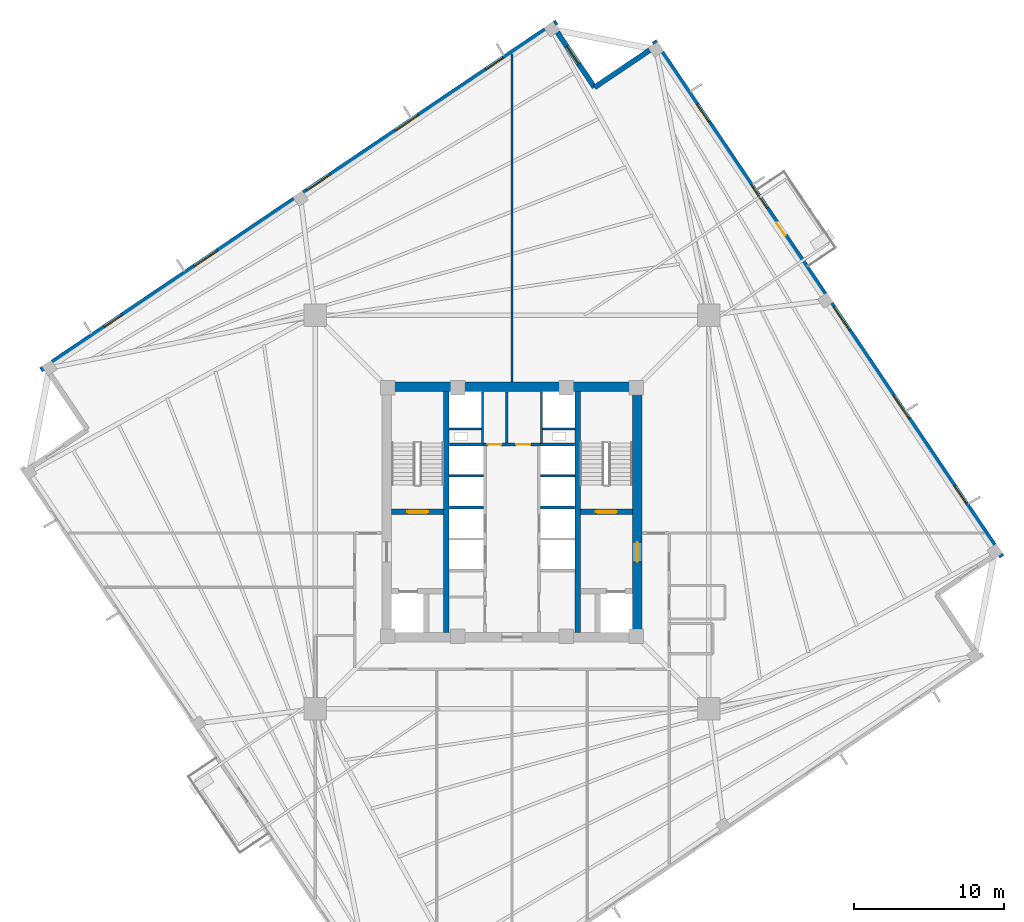
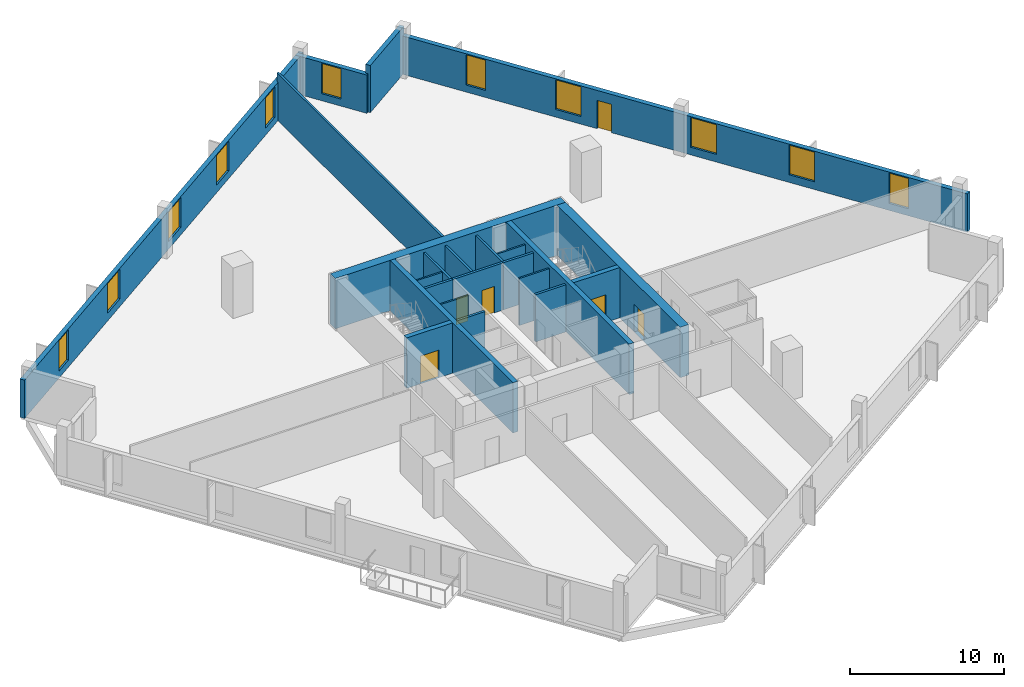
# One storey, part 5 of 9: 23 walls, 11 windows, 6 doors, 17 openings.
"""IFC4 building model written with IfcOpenShell, lengths in metres."""

import ifcopenshell
import ifcopenshell.guid

model = None  # the IFC model being written
_history = None  # IfcOwnerHistory: only IFC2X3 demands one
_inside = {}  # id of a spatial element -> (the spatial element, [elements in it])
_under = {}  # id of a project, library or spatial element -> (it, [spatial elements below it])
_declared = {}  # id of a project -> (the project, [libraries it declares])
_typed = {}  # id of a type object -> (the type object, [elements of that type])
_made_of = {}  # id of a material, layer set ... -> (it, [elements and type objects made of it])


def new_model(schema):
    """Start an empty IFC model of exactly this schema.

    Asked for "IFC4X3", IfcOpenShell would pick the latest addendum, in which some entities
    have other attributes; the version numbers below select the first issue.
    IFC2X3 requires an IfcOwnerHistory on every rooted entity: one is made here for all.
    """
    global model, _history
    if schema == "IFC4X3":
        model = ifcopenshell.file(schema_version=(4, 3, 0, 0))
    else:
        model = ifcopenshell.file(schema=schema)
    _inside.clear()
    _under.clear()
    _declared.clear()
    _typed.clear()
    _made_of.clear()
    _history = None
    if model.schema == "IFC2X3":
        org = make("IfcOrganization", Name="unknown")
        user = make(
            "IfcPersonAndOrganization",
            ThePerson=make("IfcPerson", FamilyName="unknown"),
            TheOrganization=org,
        )
        app = make(
            "IfcApplication",
            ApplicationDeveloper=org,
            Version="unknown",
            ApplicationFullName="unknown",
            ApplicationIdentifier="unknown",
        )
        _history = make(
            "IfcOwnerHistory",
            OwningUser=user,
            OwningApplication=app,
            ChangeAction="ADDED",
            CreationDate=0,
        )
    return model


def make(cls, **values):
    """One entity of the class cls with the attributes given. An attribute that is None is left unset."""
    return model.create_entity(
        cls, **{name: value for name, value in values.items() if value is not None}
    )


def rooted(cls, **values):
    """An entity with a GlobalId (a new one), such as an element, a storey or a relation."""
    return make(cls, GlobalId=ifcopenshell.guid.new(), OwnerHistory=_history, **values)


def si_unit(unit_type, name, prefix=None):
    """IfcSIUnit, for example si_unit("LENGTHUNIT", "METRE", prefix="MILLI")."""
    return make("IfcSIUnit", UnitType=unit_type, Prefix=prefix, Name=name)


def assignment(units):
    """IfcUnitAssignment: the units of a project."""
    return None if units is None else make("IfcUnitAssignment", Units=units)


def point(xyz):
    """IfcCartesianPoint."""
    return None if xyz is None else make("IfcCartesianPoint", Coordinates=xyz)


def direction(xyz):
    """IfcDirection."""
    return None if xyz is None else make("IfcDirection", DirectionRatios=xyz)


def frame(location, z_axis=None, x_axis=None):
    """IfcAxis2Placement3D, a coordinate frame: its origin and axes. An axis left out is left unset."""
    return make(
        "IfcAxis2Placement3D",
        Location=point(location),
        Axis=direction(z_axis),
        RefDirection=direction(x_axis),
    )


def frame_2d(location, x_axis=None):
    """IfcAxis2Placement2D, a coordinate frame in the plane: its origin and x axis."""
    return make(
        "IfcAxis2Placement2D", Location=point(location), RefDirection=direction(x_axis)
    )


def origin():
    """The frame at (0, 0, 0) with its axes left unset."""
    return frame((0.0, 0.0, 0.0))


def place(relative_to, where):
    """IfcLocalPlacement: puts the frame where relative to a parent placement (None: the world)."""
    return make(
        "IfcLocalPlacement", PlacementRelTo=relative_to, RelativePlacement=where
    )


def context(
    kind, dimensions, precision=None, world=None, true_north=None, identifier=None
):
    """IfcGeometricRepresentationContext, for example the 3D "Model" context."""
    return make(
        "IfcGeometricRepresentationContext",
        ContextIdentifier=identifier,
        ContextType=kind,
        CoordinateSpaceDimension=dimensions,
        Precision=precision,
        WorldCoordinateSystem=world,
        TrueNorth=true_north,
    )


def subcontext(parent, identifier, kind, view, scale=None):
    """IfcGeometricRepresentationSubContext, for example "Body" below "Model"."""
    return make(
        "IfcGeometricRepresentationSubContext",
        ContextIdentifier=identifier,
        ContextType=kind,
        ParentContext=parent,
        TargetScale=scale,
        TargetView=view,
    )


def project(units=None, contexts=None):
    """IfcProject with its units and contexts."""
    return rooted(
        "IfcProject",
        Name="project",
        RepresentationContexts=contexts,
        UnitsInContext=assignment(units),
    )


def spatial(cls, under=None, at=None, **own):
    """A site, building, storey or space (cls), placed at a placement, below another one or the project."""
    s = rooted(cls, ObjectPlacement=at, **own)
    if under is not None:
        _under.setdefault(under.id(), (under, []))[1].append(s)
    return s


def profile(cls, at=None, kind="AREA", **sizes):
    """A parametric profile (cls). Its sizes go by their IFC names, for example OverallWidth=200.0."""
    return make(cls, ProfileType=kind, Position=at, **sizes)


def rectangle(**sizes):
    """IfcRectangleProfileDef."""
    return profile("IfcRectangleProfileDef", **sizes)


def extrude(swept, where, along, depth):
    """IfcExtrudedAreaSolid: the profile swept, set in the frame where, extruded along a direction by depth."""
    return make(
        "IfcExtrudedAreaSolid",
        SweptArea=swept,
        Position=where,
        ExtrudedDirection=direction(along),
        Depth=depth,
    )


def shape(context_of_items, identifier, shape_type, items):
    """IfcShapeRepresentation: the items that make up one representation, for example the "Body"."""
    return make(
        "IfcShapeRepresentation",
        ContextOfItems=context_of_items,
        RepresentationIdentifier=identifier,
        RepresentationType=shape_type,
        Items=items,
    )


def source(mapping_origin, context_of_items, identifier, shape_type, items):
    """IfcRepresentationMap: a shape defined once, which mapped items show again and again."""
    return make(
        "IfcRepresentationMap",
        MappingOrigin=mapping_origin,
        MappedRepresentation=shape(context_of_items, identifier, shape_type, items),
    )


def transform(
    local_origin,
    x_axis=None,
    y_axis=None,
    z_axis=None,
    scale=None,
    scale2=None,
    scale3=None,
    uniform=True,
):
    """IfcCartesianTransformationOperator3D, or its non-uniform kind. x_axis, y_axis, z_axis: its Axis1, 2, 3."""
    if uniform:
        return make(
            "IfcCartesianTransformationOperator3D",
            Axis1=direction(x_axis),
            Axis2=direction(y_axis),
            LocalOrigin=point(local_origin),
            Scale=scale,
            Axis3=direction(z_axis),
        )
    return make(
        "IfcCartesianTransformationOperator3DnonUniform",
        Axis1=direction(x_axis),
        Axis2=direction(y_axis),
        LocalOrigin=point(local_origin),
        Scale=scale,
        Axis3=direction(z_axis),
        Scale2=scale2,
        Scale3=scale3,
    )


def mapped(mapping_source, mapping_target):
    """IfcMappedItem: shows the shape of a source again, moved by a transform."""
    return make(
        "IfcMappedItem", MappingSource=mapping_source, MappingTarget=mapping_target
    )


def material(Name=None, Category=None):
    """IfcMaterial."""
    return make("IfcMaterial", Name=Name, Category=Category)


def layer(
    of_material, thickness, ventilated=None, Name=None, Category=None, Priority=None
):
    """IfcMaterialLayer: one layer of a wall or slab, of a material (None: an air gap)."""
    return make(
        "IfcMaterialLayer",
        Material=of_material,
        LayerThickness=thickness,
        IsVentilated=ventilated,
        Name=Name,
        Category=Category,
        Priority=Priority,
    )


def layer_set(layers, Name=None):
    """IfcMaterialLayerSet."""
    return make("IfcMaterialLayerSet", MaterialLayers=layers, LayerSetName=Name)


def made_of(thing, what):
    """Note that an element or type object is made of a material, layer set ...; save() writes the relation."""
    if what is not None:
        _made_of.setdefault(what.id(), (what, []))[1].append(thing)
    return thing


def type_object(cls, material=None, **own):
    """A type object (cls), such as IfcWallType, which elements share."""
    return made_of(rooted(cls, **own), material)


def element(
    cls,
    number,
    at=None,
    inside=None,
    cuts=None,
    type_object=None,
    material=None,
    context=None,
    identifier="Body",
    shape_type=None,
    held_by="IfcProductDefinitionShape",
    body=None,
    shapes=None,
    **own,
):
    """One element of the class cls, such as IfcWall. Its Tag is "e" and its number.

    at: its placement. inside: the storey or other place that contains it. cuts: it is an
    opening in that element (IfcRelVoidsElement). A single representation is given by context,
    identifier, shape_type and body (its items); several are given by shapes. held_by: the class
    of the entity that holds the representations. save() writes the other relations.
    """
    e = rooted(cls, Tag="e%d" % number, ObjectPlacement=at, **own)
    if body is not None:
        shapes = [shape(context, identifier, shape_type, body)]
    if shapes is not None:
        e.Representation = make(held_by, Representations=shapes)
    if inside is not None:
        _inside.setdefault(inside.id(), (inside, []))[1].append(e)
    if cuts is not None:
        rooted(
            "IfcRelVoidsElement", RelatingBuildingElement=cuts, RelatedOpeningElement=e
        )
    if type_object is not None:
        _typed.setdefault(type_object.id(), (type_object, []))[1].append(e)
    return made_of(e, material)


def fill(opening, filler):
    """IfcRelFillsElement: the door or window that sits in an opening."""
    return rooted(
        "IfcRelFillsElement",
        RelatingOpeningElement=opening,
        RelatedBuildingElement=filler,
    )


def aggregate(whole, parts):
    """IfcRelAggregates: a whole, such as a stair, and the parts it consists of."""
    return rooted("IfcRelAggregates", RelatingObject=whole, RelatedObjects=parts)


def save(model, path):
    """Write the relations noted so far, then the file.

    IfcRelAggregates (storeys below a building ...), IfcRelContainedInSpatialStructure (elements
    in a storey), IfcRelDefinesByType, IfcRelAssociatesMaterial and IfcRelDeclares: one each for
    every whole, place, type object, material and project.
    """
    for whole, parts in _under.values():
        aggregate(whole, parts)
    for where, things in _inside.values():
        rooted(
            "IfcRelContainedInSpatialStructure",
            RelatedElements=things,
            RelatingStructure=where,
        )
    for kind, things in _typed.values():
        rooted("IfcRelDefinesByType", RelatedObjects=things, RelatingType=kind)
    for what, things in _made_of.values():
        rooted("IfcRelAssociatesMaterial", RelatedObjects=things, RelatingMaterial=what)
    for by, libraries in _declared.values():
        rooted("IfcRelDeclares", RelatingContext=by, RelatedDefinitions=libraries)
    model.write(path)


model = new_model("IFC4")

# Units and contexts
model_context = context("Model", 3, precision=1e-05, world=origin(), true_north=direction((0.0, 1.0)))
body_context = subcontext(model_context, "Body", "Model", "MODEL_VIEW")
ifc_project = project(units=[si_unit("LENGTHUNIT", "METRE"), si_unit("AREAUNIT", "SQUARE_METRE"), si_unit("VOLUMEUNIT", "CUBIC_METRE"), si_unit("PLANEANGLEUNIT", "RADIAN"), si_unit("MASSUNIT", "GRAM", prefix="KILO"), si_unit("THERMODYNAMICTEMPERATUREUNIT", "KELVIN")], contexts=[model_context])

# Site, building, storey
site_placement = place(None, origin())
site = spatial("IfcSite", under=ifc_project, at=site_placement, CompositionType="ELEMENT")
building_placement = place(site_placement, origin())
building = spatial("IfcBuilding", under=site, at=building_placement, Name="Kosmvard Interchange Tower", CompositionType="ELEMENT")
storey_placement = place(building_placement, frame((0.0, 0.0, 144.39990234375)))
storey = spatial("IfcBuildingStorey", under=building, at=storey_placement, Name="L34", CompositionType="ELEMENT", Elevation=144.39990234375)

# Walls
ifc_material_1 = material(Name="Acoustic gypsum partition system")
ifc_layer_1 = layer(ifc_material_1, 0.14990234375, Name="Acoustic gypsum partition system")
ifc_layer_set_1 = layer_set([ifc_layer_1], Name="Acoustic gypsum partition system")
wall_type_1 = type_object("IfcWallType", Name="Acoustic Suite & Meeting Partition 150", PredefinedType="PARTITIONING", material=ifc_layer_set_1)
wall_1_placement = place(storey_placement, frame((0.0, 8.655029296875, 0.0), z_axis=(0.0, 0.0, 1.0), x_axis=(0.0, 1.0, 0.0)))
element("IfcWall", 1, at=wall_1_placement, inside=storey, type_object=wall_type_1, Name="L34 Room Partition 01.1", PredefinedType="PARTITIONING", context=body_context, shape_type="SweptSolid", body=[
    extrude(rectangle(XDim=21.771728515625, YDim=0.14990234375, at=frame_2d((10.8857421875, 0.0))), origin(), (0.0, 0.0, 1.0), 3.739990234375),
])
ifc_material_2 = material(Name="Fire-rated gypsum partition system")
ifc_layer_2 = layer(ifc_material_2, 0.159912109375, Name="Fire-rated gypsum partition system")
ifc_layer_set_2 = layer_set([ifc_layer_2], Name="Fire-rated gypsum partition system")
wall_type_2 = type_object("IfcWallType", Name="Core Compartment & Shuttle Lobby Partition 160", PredefinedType="PARTITIONING", material=ifc_layer_set_2)
for number, where, z_axis, x_axis, name in (
    (2, (-1.9599609375, 4.580078125, 0.0), (0.0, 0.0, 1.0), (0.0, 1.0, 0.0), "L34 North Core West Wall"),
    (3, (1.9599609375, 4.580078125, 0.0), (0.0, 0.0, 1.0), (0.0, 1.0, 0.0), "L34 North Core East Wall"),
):
    element("IfcWall", number, at=place(storey_placement, frame(where, z_axis=z_axis, x_axis=x_axis)), inside=storey, type_object=wall_type_2, Name=name, PredefinedType="PARTITIONING", context=body_context, shape_type="SweptSolid", body=[
        extrude(rectangle(XDim=3.39990234375, YDim=0.159912109375, at=frame_2d((1.699951171875, 0.0))), origin(), (0.0, 0.0, 1.0), 3.739990234375),
    ])
ifc_material_3 = material(Name="Concrete blockwork masonry", Category="masonry")
ifc_layer_3 = layer(ifc_material_3, 0.159912109375, Name="Concrete blockwork masonry")
ifc_layer_set_3 = layer_set([ifc_layer_3], Name="Concrete blockwork masonry")
wall_type_3 = type_object("IfcWallType", Name="Core Enclosure Split Wall 160", PredefinedType="PARTITIONING", material=ifc_layer_set_3)
wall_2_placement = place(storey_placement, frame((-0.35009765625, 4.60009765625, 0.0), z_axis=(0.0, 0.0, 1.0), x_axis=(0.0, 1.0, 0.0)))
element("IfcWall", 4, at=wall_2_placement, inside=storey, type_object=wall_type_3, Name="L34 Core K2 Split Wall", PredefinedType="PARTITIONING", context=body_context, shape_type="SweptSolid", body=[
    extrude(rectangle(XDim=3.3798828125, YDim=0.159912109375, at=frame_2d((1.68994140625, 0.0))), origin(), (0.0, 0.0, 1.0), 3.739990234375),
])

# Wall, openings, doors
ifc_layer_4 = layer(ifc_material_2, 0.179931640625, Name="Fire-rated gypsum partition system")
ifc_layer_set_4 = layer_set([ifc_layer_4], Name="Fire-rated gypsum partition system")
wall_type_4 = type_object("IfcWallType", Name="Corridor & Hotel Compartment Partition 180", PredefinedType="PARTITIONING", material=ifc_layer_set_4)
wall_3_placement = place(storey_placement, frame((-1.8798828125, 4.489990234375, 0.0), z_axis=(0.0, 0.0, 1.0), x_axis=(1.0, 0.0, 0.0)))
wall_3 = element("IfcWall", 5, at=wall_3_placement, inside=storey, type_object=wall_type_4, Name="L34 Lift Lobby North Partition", PredefinedType="PARTITIONING", context=body_context, shape_type="SweptSolid", body=[
    extrude(rectangle(XDim=3.759765625, YDim=0.179931640625, at=frame_2d((1.8798828125, 0.0))), origin(), (0.0, 0.0, 1.0), 3.739990234375),
])
opening_1_placement = place(wall_3_placement, frame((0.280029296875, 0.0, 0.0)))
opening_1 = element("IfcOpeningElement", 6, at=opening_1_placement, cuts=wall_3, Name="Opening L34-KD1", PredefinedType="OPENING", context=body_context, shape_type="SweptSolid", body=[
    extrude(rectangle(XDim=0.8798828125, YDim=2.10009765625, at=frame_2d((0.43994140625, 1.050048828125))), frame((0.0, 0.10009765625, 0.0), z_axis=(0.0, -1.0, 0.0), x_axis=(1.0, 0.0, 0.0)), (0.0, 0.0, 1.0), 0.199951171875),
])
opening_2_placement = place(wall_3_placement, frame((2.14990234375, 0.0, 0.0)))
opening_2 = element("IfcOpeningElement", 7, at=opening_2_placement, cuts=wall_3, Name="Opening L34-KD2", PredefinedType="OPENING", context=body_context, shape_type="SweptSolid", body=[
    extrude(rectangle(XDim=0.949951171875, YDim=2.10009765625, at=frame_2d((0.47509765625, 1.050048828125))), frame((0.0, 0.10009765625, 0.0), z_axis=(0.0, -1.0, 0.0), x_axis=(1.0, 0.0, 0.0)), (0.0, 0.0, 1.0), 0.199951171875),
])
ifc_material_4 = material(Name="Painted fire-rated timber leaf", Category="wood")
door_type_1 = type_object("IfcDoorType", Name="Core Service Fire Door 950x2100 EI30", OperationType="NOTDEFINED", PredefinedType="DOOR", material=ifc_material_4)
shared_shape_1 = source(origin(), body_context, "Body", "SweptSolid", [
    extrude(rectangle(XDim=0.949951171875, YDim=2.10009765625, at=frame_2d((0.47509765625, 1.050048828125))), frame((0.0, 0.02490234375, 0.0), z_axis=(0.0, -1.0, 0.0), x_axis=(1.0, 0.0, 0.0)), (0.0, 0.0, 1.0), 0.050048828125),
])
door_1_placement = place(opening_2_placement, origin())
door_1 = element("IfcDoor", 8, at=door_1_placement, inside=storey, type_object=door_type_1, Name="L34 Core Tea Pantry Door", OperationType="SINGLE_SWING_RIGHT", OverallHeight=2.10009765625, OverallWidth=0.949951171875, PredefinedType="DOOR", context=body_context, shape_type="MappedRepresentation", body=[
    mapped(shared_shape_1, transform((0.0, 0.0, 0.0), scale=1.0)),
])
fill(opening_2, door_1)
door_type_2 = type_object("IfcDoorType", Name="Core Cupboard Fire Door 880x2100 EI30", OperationType="NOTDEFINED", PredefinedType="DOOR", material=ifc_material_4)
shared_shape_2 = source(origin(), body_context, "Body", "SweptSolid", [
    extrude(rectangle(XDim=0.8798828125, YDim=2.10009765625, at=frame_2d((0.43994140625, 1.050048828125))), frame((0.0, 0.02490234375, 0.0), z_axis=(0.0, -1.0, 0.0), x_axis=(1.0, 0.0, 0.0)), (0.0, 0.0, 1.0), 0.050048828125),
])
door_2_placement = place(opening_1_placement, origin())
door_2 = element("IfcDoor", 9, at=door_2_placement, inside=storey, type_object=door_type_2, Name="L34 Core Cleaner Cupboard Door", OperationType="SINGLE_SWING_LEFT", OverallHeight=2.10009765625, OverallWidth=0.8798828125, PredefinedType="DOOR", context=body_context, shape_type="MappedRepresentation", body=[
    mapped(shared_shape_2, transform((0.0, 0.0, 0.0), scale=1.0)),
])
fill(opening_1, door_2)

# Wall
ifc_material_5 = material(Name="Concrete C70/85", Category="concrete")
ifc_layer_5 = layer(ifc_material_5, 0.64990234375, Name="Concrete C70/85")
ifc_layer_set_5 = layer_set([ifc_layer_5], Name="Concrete C70/85")
wall_type_5 = type_object("IfcWallType", Name="Mid Core Shear Wall 650 C70/85", PredefinedType="SHEAR", material=ifc_layer_set_5)
wall_4_placement = place(storey_placement, frame((-8.64990234375, 8.324951171875, 0.0), z_axis=(0.0, 0.0, 1.0), x_axis=(1.0, 0.0, 0.0)))
element("IfcWall", 10, at=wall_4_placement, inside=storey, type_object=wall_type_5, Name="L34 Core Shear Wall CW-N", PredefinedType="SHEAR", context=body_context, shape_type="SweptSolid", body=[
    extrude(rectangle(XDim=17.2998046875, YDim=0.64990234375, at=frame_2d((8.64990234375, 0.0))), origin(), (0.0, 0.0, 1.0), 4.0),
])

# Wall, opening, door
wall_5_placement = place(storey_placement, frame((8.324951171875, -8.0, 0.0), z_axis=(0.0, 0.0, 1.0), x_axis=(0.0, 1.0, 0.0)))
wall_5 = element("IfcWall", 11, at=wall_5_placement, inside=storey, type_object=wall_type_5, Name="L34 Core Shear Wall CW-E", PredefinedType="SHEAR", context=body_context, shape_type="SweptSolid", body=[
    extrude(rectangle(XDim=16.0, YDim=0.64990234375, at=frame_2d((8.0, 0.0))), origin(), (0.0, 0.0, 1.0), 4.0),
])
opening_3_placement = place(wall_5_placement, frame((4.68994140625, 0.0, 0.0)))
opening_3 = element("IfcOpeningElement", 12, at=opening_3_placement, cuts=wall_5, Name="Opening L34-FD2", PredefinedType="OPENING", context=body_context, shape_type="SweptSolid", body=[
    extrude(rectangle(XDim=1.300048828125, YDim=2.199951171875, at=frame_2d((0.64990234375, 1.10009765625))), frame((0.0, 0.3349609375, 0.0), z_axis=(0.0, -1.0, 0.0), x_axis=(1.0, 0.0, 0.0)), (0.0, 0.0, 1.0), 0.669921875),
])
ifc_material_6 = material(Name="Painted fire-rated steel leaf", Category="steel")
door_type_3 = type_object("IfcDoorType", Name="Firefighting Lobby Door 1300x2200 EI60", OperationType="NOTDEFINED", PredefinedType="DOOR", material=ifc_material_6)
shared_shape_3 = source(origin(), body_context, "Body", "SweptSolid", [
    extrude(rectangle(XDim=1.300048828125, YDim=2.199951171875, at=frame_2d((0.64990234375, 1.10009765625))), frame((0.0, 0.02490234375, 0.0), z_axis=(0.0, -1.0, 0.0), x_axis=(1.0, 0.0, 0.0)), (0.0, 0.0, 1.0), 0.050048828125),
])
door_3_placement = place(opening_3_placement, origin())
door_3 = element("IfcDoor", 13, at=door_3_placement, inside=storey, type_object=door_type_3, Name="L34 Firefighting Lobby East Door", OperationType="SINGLE_SWING_RIGHT", OverallHeight=2.199951171875, OverallWidth=1.300048828125, PredefinedType="DOOR", context=body_context, shape_type="MappedRepresentation", body=[
    mapped(shared_shape_3, transform((0.0, 0.0, 0.0), scale=1.0)),
])
fill(opening_3, door_3)

# Wall, openings, door, windows
ifc_material_7 = material(Name="Precast concrete C45/55", Category="concrete")
ifc_layer_6 = layer(ifc_material_7, 0.340087890625, Name="Precast concrete C45/55")
ifc_layer_set_6 = layer_set([ifc_layer_6], Name="Precast concrete C45/55")
wall_type_6 = type_object("IfcWallType", Name="Mid Tower Precast Pier Wall 340 C45/55", PredefinedType="STANDARD", material=ifc_layer_set_6)
wall_6_placement = place(storey_placement, frame((32.55810546875, -2.971923828125, 0.0), z_axis=(0.0, 0.0, 1.0), x_axis=(-0.559194910251, 0.829036218961, 0.0)))
wall_6 = element("IfcWall", 14, at=wall_6_placement, inside=storey, type_object=wall_type_6, Name="L34 Precast Facade Wall F-E", PredefinedType="STANDARD", context=body_context, shape_type="SweptSolid", body=[
    extrude(rectangle(XDim=41.340087890625, YDim=0.340087890625, at=frame_2d((20.669921875, 0.0))), origin(), (0.0, 0.0, 1.0), 3.0400390625),
])
opening_4_placement = place(wall_6_placement, frame((25.7451171875, 0.0, 0.0)))
opening_4 = element("IfcOpeningElement", 15, at=opening_4_placement, cuts=wall_6, Name="Opening L34-BDE", PredefinedType="OPENING", context=body_context, shape_type="SweptSolid", body=[
    extrude(rectangle(XDim=1.050048828125, YDim=2.25, at=frame_2d((0.52490234375, 1.125))), frame((0.0, 0.18017578125, 0.0), z_axis=(0.0, -1.0, 0.0), x_axis=(1.0, 0.0, 0.0)), (0.0, 0.0, 1.0), 0.360107421875),
])
opening_5_placement = place(wall_6_placement, frame((4.2607421875, 0.0, 0.56005859375)))
opening_5 = element("IfcOpeningElement", 16, at=opening_5_placement, cuts=wall_6, Name="Opening L34-W06", PredefinedType="OPENING", context=body_context, shape_type="SweptSolid", body=[
    extrude(rectangle(XDim=1.39990234375, YDim=2.39990234375, at=frame_2d((0.699951171875, 1.199951171875))), frame((0.0, 0.18017578125, 0.0), z_axis=(0.0, -1.0, 0.0), x_axis=(1.0, 0.0, 0.0)), (0.0, 0.0, 1.0), 0.360107421875),
])
opening_6_placement = place(wall_6_placement, frame((11.063720703125, 0.0, 0.610107421875)))
opening_6 = element("IfcOpeningElement", 17, at=opening_6_placement, cuts=wall_6, Name="Opening L34-W07", PredefinedType="OPENING", context=body_context, shape_type="SweptSolid", body=[
    extrude(rectangle(XDim=1.85009765625, YDim=2.35009765625, at=frame_2d((0.925048828125, 1.175048828125))), frame((0.0, 0.18017578125, 0.0), z_axis=(0.0, -1.0, 0.0), x_axis=(1.0, 0.0, 0.0)), (0.0, 0.0, 1.0), 0.360107421875),
])
opening_7_placement = place(wall_6_placement, frame((18.168212890625, 0.0, 0.610107421875)))
opening_7 = element("IfcOpeningElement", 18, at=opening_7_placement, cuts=wall_6, Name="Opening L34-W08", PredefinedType="OPENING", context=body_context, shape_type="SweptSolid", body=[
    extrude(rectangle(XDim=1.85009765625, YDim=2.35009765625, at=frame_2d((0.925048828125, 1.175048828125))), frame((0.0, 0.18017578125, 0.0), z_axis=(0.0, -1.0, 0.0), x_axis=(1.0, 0.0, 0.0)), (0.0, 0.0, 1.0), 0.360107421875),
])
opening_8_placement = place(wall_6_placement, frame((27.936279296875, 0.0, 0.610107421875)))
opening_8 = element("IfcOpeningElement", 19, at=opening_8_placement, cuts=wall_6, Name="Opening L34-W09", PredefinedType="OPENING", context=body_context, shape_type="SweptSolid", body=[
    extrude(rectangle(XDim=1.85009765625, YDim=2.35009765625, at=frame_2d((0.925048828125, 1.175048828125))), frame((0.0, 0.18017578125, 0.0), z_axis=(0.0, -1.0, 0.0), x_axis=(1.0, 0.0, 0.0)), (0.0, 0.0, 1.0), 0.360107421875),
])
opening_9_placement = place(wall_6_placement, frame((34.852294921875, 0.0, 0.56005859375)))
opening_9 = element("IfcOpeningElement", 20, at=opening_9_placement, cuts=wall_6, Name="Opening L34-W10", PredefinedType="OPENING", context=body_context, shape_type="SweptSolid", body=[
    extrude(rectangle(XDim=1.39990234375, YDim=2.39990234375, at=frame_2d((0.699951171875, 1.199951171875))), frame((0.0, 0.18017578125, 0.0), z_axis=(0.0, -1.0, 0.0), x_axis=(1.0, 0.0, 0.0)), (0.0, 0.0, 1.0), 0.360107421875),
])
ifc_material_8 = material(Name="Anodised aluminium and safety glass", Category="aluminium")
door_type_4 = type_object("IfcDoorType", Name="Tree-Balcony Glazed Door 1050x2250", OperationType="NOTDEFINED", PredefinedType="DOOR", material=ifc_material_8)
shared_shape_4 = source(origin(), body_context, "Body", "SweptSolid", [
    extrude(rectangle(XDim=1.050048828125, YDim=2.25, at=frame_2d((0.52490234375, 1.125))), frame((0.0, 0.02490234375, 0.0), z_axis=(0.0, -1.0, 0.0), x_axis=(1.0, 0.0, 0.0)), (0.0, 0.0, 1.0), 0.050048828125),
])
door_4_placement = place(opening_4_placement, origin())
door_4 = element("IfcDoor", 21, at=door_4_placement, inside=storey, type_object=door_type_4, Name="L34 Tree-Balcony Door BAL-L34-E", OperationType="SINGLE_SWING_LEFT", OverallHeight=2.25, OverallWidth=1.050048828125, PredefinedType="DOOR", context=body_context, shape_type="MappedRepresentation", body=[
    mapped(shared_shape_4, transform((0.0, 0.0, 0.0), scale=1.0)),
])
fill(opening_4, door_4)
ifc_material_9 = material(Name="Low-E solar-control double glazing", Category="glass")
window_type_1 = type_object("IfcWindowType", Name="Notched Corner Feature Window 1400x2400", PartitioningType="SINGLE_PANEL", PredefinedType="WINDOW", material=ifc_material_9)
shared_shape_5 = source(origin(), body_context, "Body", "SweptSolid", [
    extrude(rectangle(XDim=1.39990234375, YDim=2.39990234375, at=frame_2d((0.699951171875, 1.199951171875))), frame((0.0, 0.030029296875, 0.0), z_axis=(0.0, -1.0, 0.0), x_axis=(1.0, 0.0, 0.0)), (0.0, 0.0, 1.0), 0.06005859375),
])
window_1_placement = place(opening_5_placement, origin())
window_1 = element("IfcWindow", 22, at=window_1_placement, inside=storey, type_object=window_type_1, Name="L34 Facade Punched Window 06", OverallHeight=2.39990234375, OverallWidth=1.39990234375, PartitioningType="SINGLE_PANEL", PredefinedType="WINDOW", context=body_context, shape_type="MappedRepresentation", body=[
    mapped(shared_shape_5, transform((0.0, 0.0, 0.0), scale=1.0)),
])
fill(opening_5, window_1)
window_2_placement = place(opening_9_placement, origin())
window_2 = element("IfcWindow", 23, at=window_2_placement, inside=storey, type_object=window_type_1, Name="L34 Facade Punched Window 10", OverallHeight=2.39990234375, OverallWidth=1.39990234375, PartitioningType="SINGLE_PANEL", PredefinedType="WINDOW", context=body_context, shape_type="MappedRepresentation", body=[
    mapped(shared_shape_5, transform((0.0, 0.0, 0.0), scale=1.0)),
])
fill(opening_9, window_2)
window_type_2 = type_object("IfcWindowType", Name="Zone 3 Office Punched Window 1850x2350", PartitioningType="SINGLE_PANEL", PredefinedType="WINDOW", material=ifc_material_9)
shared_shape_6 = source(origin(), body_context, "Body", "SweptSolid", [
    extrude(rectangle(XDim=1.85009765625, YDim=2.35009765625, at=frame_2d((0.925048828125, 1.175048828125))), frame((0.0, 0.030029296875, 0.0), z_axis=(0.0, -1.0, 0.0), x_axis=(1.0, 0.0, 0.0)), (0.0, 0.0, 1.0), 0.06005859375),
])
window_3_placement = place(opening_6_placement, origin())
window_3 = element("IfcWindow", 24, at=window_3_placement, inside=storey, type_object=window_type_2, Name="L34 Facade Punched Window 07", OverallHeight=2.35009765625, OverallWidth=1.85009765625, PartitioningType="SINGLE_PANEL", PredefinedType="WINDOW", context=body_context, shape_type="MappedRepresentation", body=[
    mapped(shared_shape_6, transform((0.0, 0.0, 0.0), scale=1.0)),
])
fill(opening_6, window_3)
window_4_placement = place(opening_7_placement, origin())
window_4 = element("IfcWindow", 25, at=window_4_placement, inside=storey, type_object=window_type_2, Name="L34 Facade Punched Window 08", OverallHeight=2.35009765625, OverallWidth=1.85009765625, PartitioningType="SINGLE_PANEL", PredefinedType="WINDOW", context=body_context, shape_type="MappedRepresentation", body=[
    mapped(shared_shape_6, transform((0.0, 0.0, 0.0), scale=1.0)),
])
fill(opening_7, window_4)
window_5_placement = place(opening_8_placement, origin())
window_5 = element("IfcWindow", 26, at=window_5_placement, inside=storey, type_object=window_type_2, Name="L34 Facade Punched Window 09", OverallHeight=2.35009765625, OverallWidth=1.85009765625, PartitioningType="SINGLE_PANEL", PredefinedType="WINDOW", context=body_context, shape_type="MappedRepresentation", body=[
    mapped(shared_shape_6, transform((0.0, 0.0, 0.0), scale=1.0)),
])
fill(opening_8, window_5)

# Wall
wall_7_placement = place(storey_placement, frame((9.631103515625, 31.018798828125, 0.0), z_axis=(0.0, 0.0, 1.0), x_axis=(-0.829025804298, -0.559210350234, 0.0)))
element("IfcWall", 27, at=wall_7_placement, inside=storey, type_object=wall_type_6, Name="L34 Precast Facade Wall N-NE1", PredefinedType="STANDARD", context=body_context, shape_type="SweptSolid", body=[
    extrude(rectangle(XDim=5.000244140625, YDim=0.340087890625, at=frame_2d((2.5, 0.0))), origin(), (0.0, 0.0, 1.0), 3.739990234375),
])

# Wall, opening, window
wall_8_placement = place(storey_placement, frame((5.48583984375, 28.22265625, 0.0), z_axis=(0.0, 0.0, 1.0), x_axis=(-0.559171107879, 0.82905227345, 0.0)))
wall_8 = element("IfcWall", 28, at=wall_8_placement, inside=storey, type_object=wall_type_6, Name="L34 Precast Facade Wall N-NE2", PredefinedType="STANDARD", context=body_context, shape_type="SweptSolid", body=[
    extrude(rectangle(XDim=5.169921875, YDim=0.340087890625, at=frame_2d((2.5849609375, 0.0))), origin(), (0.0, 0.0, 1.0), 3.0400390625),
])
opening_10_placement = place(wall_8_placement, frame((1.885009765625, 0.0, 0.56005859375)))
opening_10 = element("IfcOpeningElement", 29, at=opening_10_placement, cuts=wall_8, Name="Opening L34-W22", PredefinedType="OPENING", context=body_context, shape_type="SweptSolid", body=[
    extrude(rectangle(XDim=1.39990234375, YDim=2.39990234375, at=frame_2d((0.699951171875, 1.199951171875))), frame((0.0, 0.18017578125, 0.0), z_axis=(0.0, -1.0, 0.0), x_axis=(1.0, 0.0, 0.0)), (0.0, 0.0, 1.0), 0.360107421875),
])
window_6_placement = place(opening_10_placement, origin())
window_6 = element("IfcWindow", 30, at=window_6_placement, inside=storey, type_object=window_type_1, Name="L34 Corner Notch Window 22", OverallHeight=2.39990234375, OverallWidth=1.39990234375, PartitioningType="SINGLE_PANEL", PredefinedType="WINDOW", context=body_context, shape_type="MappedRepresentation", body=[
    mapped(shared_shape_5, transform((0.0, 0.0, 0.0), scale=1.0)),
])
fill(opening_10, window_6)

# Wall, openings, windows
wall_9_placement = place(storey_placement, frame((2.971923828125, 32.55810546875, 0.0), z_axis=(0.0, 0.0, 1.0), x_axis=(-0.829036218961, -0.559194910251, 0.0)))
wall_9 = element("IfcWall", 31, at=wall_9_placement, inside=storey, type_object=wall_type_6, Name="L34 Precast Facade Wall F-N", PredefinedType="STANDARD", context=body_context, shape_type="SweptSolid", body=[
    extrude(rectangle(XDim=41.340087890625, YDim=0.340087890625, at=frame_2d((20.669921875, 0.0))), origin(), (0.0, 0.0, 1.0), 3.0400390625),
])
opening_11_placement = place(wall_9_placement, frame((4.2607421875, 0.0, 0.56005859375)))
opening_11 = element("IfcOpeningElement", 32, at=opening_11_placement, cuts=wall_9, Name="Opening L34-W11", PredefinedType="OPENING", context=body_context, shape_type="SweptSolid", body=[
    extrude(rectangle(XDim=1.39990234375, YDim=2.39990234375, at=frame_2d((0.699951171875, 1.199951171875))), frame((0.0, 0.18017578125, 0.0), z_axis=(0.0, -1.0, 0.0), x_axis=(1.0, 0.0, 0.0)), (0.0, 0.0, 1.0), 0.360107421875),
])
opening_12_placement = place(wall_9_placement, frame((11.063720703125, 0.0, 0.610107421875)))
opening_12 = element("IfcOpeningElement", 33, at=opening_12_placement, cuts=wall_9, Name="Opening L34-W12", PredefinedType="OPENING", context=body_context, shape_type="SweptSolid", body=[
    extrude(rectangle(XDim=1.85009765625, YDim=2.35009765625, at=frame_2d((0.925048828125, 1.175048828125))), frame((0.0, 0.18017578125, 0.0), z_axis=(0.0, -1.0, 0.0), x_axis=(1.0, 0.0, 0.0)), (0.0, 0.0, 1.0), 0.360107421875),
])
opening_13_placement = place(wall_9_placement, frame((18.168212890625, 0.0, 0.610107421875)))
opening_13 = element("IfcOpeningElement", 34, at=opening_13_placement, cuts=wall_9, Name="Opening L34-W13", PredefinedType="OPENING", context=body_context, shape_type="SweptSolid", body=[
    extrude(rectangle(XDim=1.85009765625, YDim=2.35009765625, at=frame_2d((0.925048828125, 1.175048828125))), frame((0.0, 0.18017578125, 0.0), z_axis=(0.0, -1.0, 0.0), x_axis=(1.0, 0.0, 0.0)), (0.0, 0.0, 1.0), 0.360107421875),
])
opening_14_placement = place(wall_9_placement, frame((27.186279296875, 0.0, 0.610107421875)))
opening_14 = element("IfcOpeningElement", 35, at=opening_14_placement, cuts=wall_9, Name="Opening L34-W14", PredefinedType="OPENING", context=body_context, shape_type="SweptSolid", body=[
    extrude(rectangle(XDim=1.85009765625, YDim=2.35009765625, at=frame_2d((0.925048828125, 1.175048828125))), frame((0.0, 0.18017578125, 0.0), z_axis=(0.0, -1.0, 0.0), x_axis=(1.0, 0.0, 0.0)), (0.0, 0.0, 1.0), 0.360107421875),
])
opening_15_placement = place(wall_9_placement, frame((34.852294921875, 0.0, 0.56005859375)))
opening_15 = element("IfcOpeningElement", 36, at=opening_15_placement, cuts=wall_9, Name="Opening L34-W15", PredefinedType="OPENING", context=body_context, shape_type="SweptSolid", body=[
    extrude(rectangle(XDim=1.39990234375, YDim=2.39990234375, at=frame_2d((0.699951171875, 1.199951171875))), frame((0.0, 0.18017578125, 0.0), z_axis=(0.0, -1.0, 0.0), x_axis=(1.0, 0.0, 0.0)), (0.0, 0.0, 1.0), 0.360107421875),
])
window_7_placement = place(opening_11_placement, origin())
window_7 = element("IfcWindow", 37, at=window_7_placement, inside=storey, type_object=window_type_1, Name="L34 Facade Punched Window 11", OverallHeight=2.39990234375, OverallWidth=1.39990234375, PartitioningType="SINGLE_PANEL", PredefinedType="WINDOW", context=body_context, shape_type="MappedRepresentation", body=[
    mapped(shared_shape_5, transform((0.0, 0.0, 0.0), scale=1.0)),
])
fill(opening_11, window_7)
window_8_placement = place(opening_15_placement, origin())
window_8 = element("IfcWindow", 38, at=window_8_placement, inside=storey, type_object=window_type_1, Name="L34 Facade Punched Window 15", OverallHeight=2.39990234375, OverallWidth=1.39990234375, PartitioningType="SINGLE_PANEL", PredefinedType="WINDOW", context=body_context, shape_type="MappedRepresentation", body=[
    mapped(shared_shape_5, transform((0.0, 0.0, 0.0), scale=1.0)),
])
fill(opening_15, window_8)
window_9_placement = place(opening_12_placement, origin())
window_9 = element("IfcWindow", 39, at=window_9_placement, inside=storey, type_object=window_type_2, Name="L34 Facade Punched Window 12", OverallHeight=2.35009765625, OverallWidth=1.85009765625, PartitioningType="SINGLE_PANEL", PredefinedType="WINDOW", context=body_context, shape_type="MappedRepresentation", body=[
    mapped(shared_shape_6, transform((0.0, 0.0, 0.0), scale=1.0)),
])
fill(opening_12, window_9)
window_10_placement = place(opening_13_placement, origin())
window_10 = element("IfcWindow", 40, at=window_10_placement, inside=storey, type_object=window_type_2, Name="L34 Facade Punched Window 13", OverallHeight=2.35009765625, OverallWidth=1.85009765625, PartitioningType="SINGLE_PANEL", PredefinedType="WINDOW", context=body_context, shape_type="MappedRepresentation", body=[
    mapped(shared_shape_6, transform((0.0, 0.0, 0.0), scale=1.0)),
])
fill(opening_13, window_10)
window_11_placement = place(opening_14_placement, origin())
window_11 = element("IfcWindow", 41, at=window_11_placement, inside=storey, type_object=window_type_2, Name="L34 Facade Punched Window 14", OverallHeight=2.35009765625, OverallWidth=1.85009765625, PartitioningType="SINGLE_PANEL", PredefinedType="WINDOW", context=body_context, shape_type="MappedRepresentation", body=[
    mapped(shared_shape_6, transform((0.0, 0.0, 0.0), scale=1.0)),
])
fill(opening_14, window_11)

# Walls
ifc_layer_7 = layer(ifc_material_3, 0.179931640625, Name="Concrete blockwork masonry")
ifc_layer_set_7 = layer_set([ifc_layer_7], Name="Concrete blockwork masonry")
wall_type_7 = type_object("IfcWallType", Name="Riser & Lift Bank Divider Wall 180", PredefinedType="PARTITIONING", material=ifc_layer_set_7)
for number, where, z_axis, x_axis, name in (
    (42, (-4.169921875, 0.300048828125, 0.0), (0.0, 0.0, 1.0), (1.0, 0.0, 0.0), "L34 West Bank Divider BD2"),
    (43, (1.889892578125, 0.300048828125, 0.0), (0.0, 0.0, 1.0), (1.0, 0.0, 0.0), "L34 East Bank Divider BD2"),
    (44, (-4.169921875, 4.489990234375, 0.0), (0.0, 0.0, 1.0), (1.0, 0.0, 0.0), "L34 West Bank Divider BD3"),
    (45, (1.889892578125, 4.489990234375, 0.0), (0.0, 0.0, 1.0), (1.0, 0.0, 0.0), "L34 East Bank Divider BD3"),
):
    element("IfcWall", number, at=place(storey_placement, frame(where, z_axis=z_axis, x_axis=x_axis)), inside=storey, type_object=wall_type_7, Name=name, PredefinedType="PARTITIONING", context=body_context, shape_type="SweptSolid", body=[
        extrude(rectangle(XDim=2.280029296875, YDim=0.179931640625, at=frame_2d((1.14013671875, 0.0))), origin(), (0.0, 0.0, 1.0), 3.739990234375),
    ])
ifc_material_10 = material(Name="Fire-rated gypsum shaftwall system")
ifc_layer_8 = layer(ifc_material_10, 0.1201171875, Name="Fire-rated gypsum shaftwall system")
ifc_layer_set_8 = layer_set([ifc_layer_8], Name="Fire-rated gypsum shaftwall system")
wall_type_8 = type_object("IfcWallType", Name="Shaft & Riser Fire Partition 120 EI60", PredefinedType="PARTITIONING", material=ifc_layer_set_8)
for number, where, z_axis, x_axis, name in (
    (46, (-4.159912109375, 2.39990234375, 0.0), (0.0, 0.0, 1.0), (1.0, 0.0, 0.0), "L34 Shaft Divider PL-H1"),
    (47, (1.89990234375, 2.39990234375, 0.0), (0.0, 0.0, 1.0), (1.0, 0.0, 0.0), "L34 Shaft Divider PL-H3"),
):
    element("IfcWall", number, at=place(storey_placement, frame(where, z_axis=z_axis, x_axis=x_axis)), inside=storey, type_object=wall_type_8, Name=name, PredefinedType="PARTITIONING", context=body_context, shape_type="SweptSolid", body=[
        extrude(rectangle(XDim=2.260009765625, YDim=0.1201171875, at=frame_2d((1.1298828125, 0.0))), origin(), (0.0, 0.0, 1.0), 3.739990234375),
    ])
for number, where, z_axis, x_axis, name in (
    (48, (-4.159912109375, 5.52001953125, 0.0), (0.0, 0.0, 1.0), (1.0, 0.0, 0.0), "L34 Riser Shaft Divider W"),
    (49, (2.06005859375, 5.52001953125, 0.0), (0.0, 0.0, 1.0), (1.0, 0.0, 0.0), "L34 Riser Shaft Divider E"),
):
    element("IfcWall", number, at=place(storey_placement, frame(where, z_axis=z_axis, x_axis=x_axis)), inside=storey, type_object=wall_type_8, Name=name, PredefinedType="PARTITIONING", context=body_context, shape_type="SweptSolid", body=[
        extrude(rectangle(XDim=2.099853515625, YDim=0.1201171875, at=frame_2d((1.0498046875, 0.0))), origin(), (0.0, 0.0, 1.0), 3.739990234375),
    ])
ifc_material_11 = material(Name="Concrete C60/75", Category="concrete")
ifc_layer_9 = layer(ifc_material_11, 0.360107421875, Name="Concrete C60/75")
ifc_layer_set_9 = layer_set([ifc_layer_9], Name="Concrete C60/75")
wall_type_9 = type_object("IfcWallType", Name="Stair & Lift Shaft Shear Wall 360 C60/75", PredefinedType="SHEAR", material=ifc_layer_set_9)
for number, where, z_axis, x_axis, name in (
    (50, (-4.360107421875, -8.0, 0.0), (0.0, 0.0, 1.0), (0.0, 1.0, 0.0), "L34 Shaft Shear Wall SW-W"),
    (51, (4.360107421875, -8.0, 0.0), (0.0, 0.0, 1.0), (0.0, 1.0, 0.0), "L34 Shaft Shear Wall SW-E"),
):
    element("IfcWall", number, at=place(storey_placement, frame(where, z_axis=z_axis, x_axis=x_axis)), inside=storey, type_object=wall_type_9, Name=name, PredefinedType="SHEAR", context=body_context, shape_type="SweptSolid", body=[
        extrude(rectangle(XDim=16.0, YDim=0.360107421875, at=frame_2d((8.0, 0.0))), origin(), (0.0, 0.0, 1.0), 4.0),
    ])

# Wall, opening, door
wall_10_placement = place(storey_placement, frame((-8.0, 0.02001953125, 0.0), z_axis=(0.0, 0.0, 1.0), x_axis=(1.0, 0.0, 0.0)))
wall_10 = element("IfcWall", 52, at=wall_10_placement, inside=storey, type_object=wall_type_9, Name="L34 Shaft Shear Wall SW-ST1", PredefinedType="SHEAR", context=body_context, shape_type="SweptSolid", body=[
    extrude(rectangle(XDim=3.4599609375, YDim=0.360107421875, at=frame_2d((1.72998046875, 0.0))), origin(), (0.0, 0.0, 1.0), 4.0),
])
opening_16_placement = place(wall_10_placement, frame((1.030029296875, 0.0, 0.0)))
opening_16 = element("IfcOpeningElement", 53, at=opening_16_placement, cuts=wall_10, Name="Opening L34-SD1", PredefinedType="OPENING", context=body_context, shape_type="SweptSolid", body=[
    extrude(rectangle(XDim=1.39990234375, YDim=2.199951171875, at=frame_2d((0.699951171875, 1.10009765625))), frame((0.0, 0.18994140625, 0.0), z_axis=(0.0, -1.0, 0.0), x_axis=(1.0, 0.0, 0.0)), (0.0, 0.0, 1.0), 0.380126953125),
])
door_type_5 = type_object("IfcDoorType", Name="Protected Stair Door 1400x2200 FD60S", OperationType="NOTDEFINED", PredefinedType="DOOR", material=ifc_material_6)
shared_shape_7 = source(origin(), body_context, "Body", "SweptSolid", [
    extrude(rectangle(XDim=1.39990234375, YDim=2.199951171875, at=frame_2d((0.699951171875, 1.10009765625))), frame((0.0, 0.02490234375, 0.0), z_axis=(0.0, -1.0, 0.0), x_axis=(1.0, 0.0, 0.0)), (0.0, 0.0, 1.0), 0.050048828125),
])
door_5_placement = place(opening_16_placement, origin())
door_5 = element("IfcDoor", 54, at=door_5_placement, inside=storey, type_object=door_type_5, Name="L34 Stair ST-1 Enclosure Door", OperationType="SINGLE_SWING_LEFT", OverallHeight=2.199951171875, OverallWidth=1.39990234375, PredefinedType="DOOR", context=body_context, shape_type="MappedRepresentation", body=[
    mapped(shared_shape_7, transform((0.0, 0.0, 0.0), scale=1.0)),
])
fill(opening_16, door_5)

wall_11_placement = place(storey_placement, frame((4.5400390625, 0.02001953125, 0.0), z_axis=(0.0, 0.0, 1.0), x_axis=(1.0, 0.0, 0.0)))
wall_11 = element("IfcWall", 55, at=wall_11_placement, inside=storey, type_object=wall_type_9, Name="L34 Shaft Shear Wall SW-ST2", PredefinedType="SHEAR", context=body_context, shape_type="SweptSolid", body=[
    extrude(rectangle(XDim=3.4599609375, YDim=0.360107421875, at=frame_2d((1.72998046875, 0.0))), origin(), (0.0, 0.0, 1.0), 4.0),
])
opening_17_placement = place(wall_11_placement, frame((1.030029296875, 0.0, 0.0)))
opening_17 = element("IfcOpeningElement", 56, at=opening_17_placement, cuts=wall_11, Name="Opening L34-SD2", PredefinedType="OPENING", context=body_context, shape_type="SweptSolid", body=[
    extrude(rectangle(XDim=1.39990234375, YDim=2.199951171875, at=frame_2d((0.699951171875, 1.10009765625))), frame((0.0, 0.18994140625, 0.0), z_axis=(0.0, -1.0, 0.0), x_axis=(1.0, 0.0, 0.0)), (0.0, 0.0, 1.0), 0.380126953125),
])
door_6_placement = place(opening_17_placement, origin())
door_6 = element("IfcDoor", 57, at=door_6_placement, inside=storey, type_object=door_type_5, Name="L34 Stair ST-2 Enclosure Door", OperationType="SINGLE_SWING_RIGHT", OverallHeight=2.199951171875, OverallWidth=1.39990234375, PredefinedType="DOOR", context=body_context, shape_type="MappedRepresentation", body=[
    mapped(shared_shape_7, transform((0.0, 0.0, 0.0), scale=1.0)),
])
fill(opening_17, door_6)

save(model, "model.ifc")
